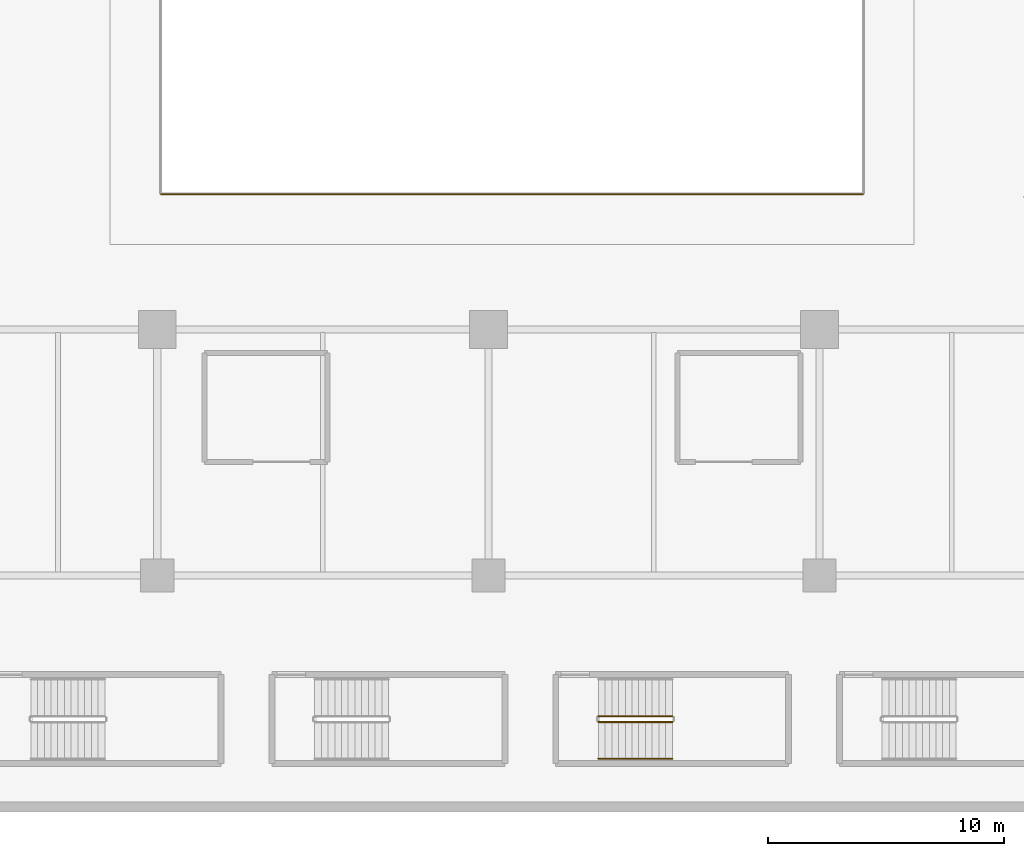
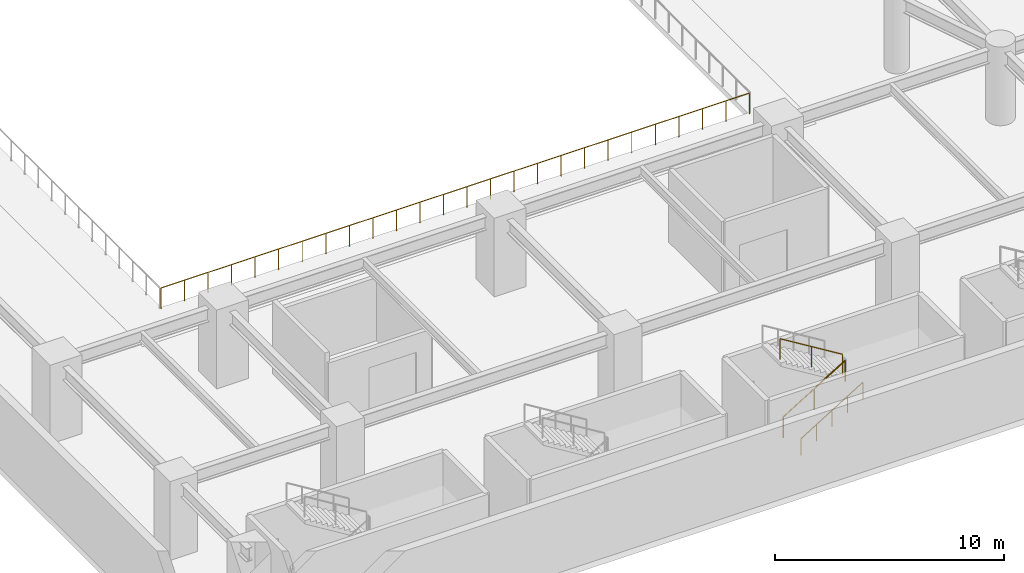
# One storey, part 16 of 22: 4 railings.
"""IFC4 building model written with IfcOpenShell, lengths in metres."""

from ifc_helpers import new_model, si_unit, direction, frame, origin, origin_2d, place, context, subcontext, project, spatial, circle, extrude, material, type_object, element, save


model = new_model("IFC4")

# Units and contexts
model_context = context("Model", 3, precision=1e-05, world=origin(), true_north=direction((0.0, 1.0)))
body_context = subcontext(model_context, "Body", "Model", "MODEL_VIEW")
ifc_project = project(units=[si_unit("LENGTHUNIT", "METRE"), si_unit("AREAUNIT", "SQUARE_METRE"), si_unit("VOLUMEUNIT", "CUBIC_METRE"), si_unit("PLANEANGLEUNIT", "RADIAN"), si_unit("MASSUNIT", "GRAM", prefix="KILO")], contexts=[model_context])

# Site, building, storey
site_placement = place(None, origin())
site = spatial("IfcSite", under=ifc_project, at=site_placement, CompositionType="ELEMENT")
building_placement = place(site_placement, origin())
building = spatial("IfcBuilding", under=site, at=building_placement, Name="Narakoshi Arena Tower", CompositionType="ELEMENT")
storey_placement = place(building_placement, frame((0.0, 0.0, 13.199951171875)))
storey = spatial("IfcBuildingStorey", under=building, at=storey_placement, Name="L03", CompositionType="ELEMENT", Elevation=13.199951171875)

# Railings
ifc_material_1 = material(Name="Clear low-iron laminated structural glass", Category="glass")
railing_type_1 = type_object("IfcRailingType", Name="RL-BAL-1100", PredefinedType="BALUSTRADE", material=ifc_material_1)
railing_1_placement = place(storey_placement, frame((30.64990234375, 3.800048828125, 0.175048828125)))
element("IfcRailing", 1, at=railing_1_placement, inside=storey, type_object=railing_type_1, Name="L03 AST3 stair guard 1", PredefinedType="BALUSTRADE", context=body_context, shape_type="SweptSolid", body=[
    extrude(circle(Radius=0.02392578125, at=origin_2d()), frame((0.0, 0.0, 1.09619140625), z_axis=(0.852166034122, 0.0, 0.523271488128), x_axis=(0.0, 1.0, 0.0)), (0.0, 0.0, 1.0), 3.678955078125),
    extrude(circle(Radius=0.02099609375, at=origin_2d()), origin(), (0.0, 0.0, 1.0), 1.072021484375),
    extrude(circle(Radius=0.02099609375, at=origin_2d()), frame((1.5673828125, 0.0, 0.96240234375)), (0.0, 0.0, 1.0), 1.072021484375),
    extrude(circle(Radius=0.02099609375, at=origin_2d()), frame((3.135009765625, 0.0, 1.925048828125)), (0.0, 0.0, 1.0), 1.072021484375),
])
railing_2_placement = place(storey_placement, frame((33.784912109375, 4.050048828125, 2.275146484375)))
element("IfcRailing", 2, at=railing_2_placement, inside=storey, type_object=railing_type_1, Name="L03 AST3 stair guard 3", PredefinedType="BALUSTRADE", context=body_context, shape_type="SweptSolid", body=[
    extrude(circle(Radius=0.02392578125, at=origin_2d()), frame((0.0, 0.0, 1.09619140625), z_axis=(-0.852195625947, 0.0, 0.523223293744), x_axis=(0.0, -1.0, 0.0)), (0.0, 0.0, 1.0), 3.6787109375),
    extrude(circle(Radius=0.02099609375, at=origin_2d()), origin(), (0.0, 0.0, 1.0), 1.072021484375),
    extrude(circle(Radius=0.02099609375, at=origin_2d()), frame((-1.5673828125, 0.0, 0.96240234375)), (0.0, 0.0, 1.0), 1.072021484375),
    extrude(circle(Radius=0.02099609375, at=origin_2d()), frame((-3.135009765625, 0.0, 1.9248046875)), (0.0, 0.0, 1.0), 1.072021484375),
])
railing_3_placement = place(storey_placement, frame((12.159912109375, 26.1201171875, 0.0)))
element("IfcRailing", 3, at=railing_3_placement, inside=storey, type_object=railing_type_1, Name="L03 Arena Bowl Tier Balustrade 1", PredefinedType="BALUSTRADE", context=body_context, shape_type="SweptSolid", body=[
    extrude(circle(Radius=0.02392578125, at=origin_2d()), frame((0.0, 0.0, 1.09619140625), z_axis=(1.0, 0.0, 0.0), x_axis=(0.0, 1.0, 0.0)), (0.0, 0.0, 1.0), 29.68017578125),
    extrude(circle(Radius=0.02099609375, at=origin_2d()), origin(), (0.0, 0.0, 1.0), 1.072021484375),
    extrude(circle(Radius=0.02099609375, at=origin_2d()), frame((1.187255859375, 0.0, 0.0)), (0.0, 0.0, 1.0), 1.072021484375),
    extrude(circle(Radius=0.02099609375, at=origin_2d()), frame((2.37451171875, 0.0, 0.0)), (0.0, 0.0, 1.0), 1.072021484375),
    extrude(circle(Radius=0.02099609375, at=origin_2d()), frame((3.5615234375, 0.0, 0.0)), (0.0, 0.0, 1.0), 1.072021484375),
    extrude(circle(Radius=0.02099609375, at=origin_2d()), frame((4.748779296875, 0.0, 0.0)), (0.0, 0.0, 1.0), 1.072021484375),
    extrude(circle(Radius=0.02099609375, at=origin_2d()), frame((5.93603515625, 0.0, 0.0)), (0.0, 0.0, 1.0), 1.072021484375),
    extrude(circle(Radius=0.02099609375, at=origin_2d()), frame((7.123291015625, 0.0, 0.0)), (0.0, 0.0, 1.0), 1.072021484375),
    extrude(circle(Radius=0.02099609375, at=origin_2d()), frame((8.310546875, 0.0, 0.0)), (0.0, 0.0, 1.0), 1.072021484375),
    extrude(circle(Radius=0.02099609375, at=origin_2d()), frame((9.49755859375, 0.0, 0.0)), (0.0, 0.0, 1.0), 1.072021484375),
    extrude(circle(Radius=0.02099609375, at=origin_2d()), frame((10.684814453125, 0.0, 0.0)), (0.0, 0.0, 1.0), 1.072021484375),
    extrude(circle(Radius=0.02099609375, at=origin_2d()), frame((11.8720703125, 0.0, 0.0)), (0.0, 0.0, 1.0), 1.072021484375),
    extrude(circle(Radius=0.02099609375, at=origin_2d()), frame((13.059326171875, 0.0, 0.0)), (0.0, 0.0, 1.0), 1.072021484375),
    extrude(circle(Radius=0.02099609375, at=origin_2d()), frame((14.24658203125, 0.0, 0.0)), (0.0, 0.0, 1.0), 1.072021484375),
    extrude(circle(Radius=0.02099609375, at=origin_2d()), frame((15.43359375, 0.0, 0.0)), (0.0, 0.0, 1.0), 1.072021484375),
    extrude(circle(Radius=0.02099609375, at=origin_2d()), frame((16.620849609375, 0.0, 0.0)), (0.0, 0.0, 1.0), 1.072021484375),
    extrude(circle(Radius=0.02099609375, at=origin_2d()), frame((17.80810546875, 0.0, 0.0)), (0.0, 0.0, 1.0), 1.072021484375),
    extrude(circle(Radius=0.02099609375, at=origin_2d()), frame((18.995361328125, 0.0, 0.0)), (0.0, 0.0, 1.0), 1.072021484375),
    extrude(circle(Radius=0.02099609375, at=origin_2d()), frame((20.1826171875, 0.0, 0.0)), (0.0, 0.0, 1.0), 1.072021484375),
    extrude(circle(Radius=0.02099609375, at=origin_2d()), frame((21.36962890625, 0.0, 0.0)), (0.0, 0.0, 1.0), 1.072021484375),
    extrude(circle(Radius=0.02099609375, at=origin_2d()), frame((22.556884765625, 0.0, 0.0)), (0.0, 0.0, 1.0), 1.072021484375),
    extrude(circle(Radius=0.02099609375, at=origin_2d()), frame((23.744140625, 0.0, 0.0)), (0.0, 0.0, 1.0), 1.072021484375),
    extrude(circle(Radius=0.02099609375, at=origin_2d()), frame((24.931396484375, 0.0, 0.0)), (0.0, 0.0, 1.0), 1.072021484375),
    extrude(circle(Radius=0.02099609375, at=origin_2d()), frame((26.11865234375, 0.0, 0.0)), (0.0, 0.0, 1.0), 1.072021484375),
    extrude(circle(Radius=0.02099609375, at=origin_2d()), frame((27.3056640625, 0.0, 0.0)), (0.0, 0.0, 1.0), 1.072021484375),
    extrude(circle(Radius=0.02099609375, at=origin_2d()), frame((28.492919921875, 0.0, 0.0)), (0.0, 0.0, 1.0), 1.072021484375),
    extrude(circle(Radius=0.02099609375, at=origin_2d()), frame((29.68017578125, 0.0, 0.0)), (0.0, 0.0, 1.0), 1.072021484375),
])
ifc_material_2 = material(Name="Brushed bronze stainless steel", Category="steel")
railing_type_2 = type_object("IfcRailingType", Name="RL-HND-900", PredefinedType="HANDRAIL", material=ifc_material_2)
railing_4_placement = place(storey_placement, frame((30.64990234375, 2.25, 0.175048828125)))
element("IfcRailing", 4, at=railing_4_placement, inside=storey, type_object=railing_type_2, Name="L03 AST3 stair handrail 1", PredefinedType="HANDRAIL", context=body_context, shape_type="SweptSolid", body=[
    extrude(circle(Radius=0.02392578125, at=origin_2d()), frame((0.0, 0.0, 0.8759765625), z_axis=(0.852166034122, 0.0, 0.523271488128), x_axis=(0.0, 1.0, 0.0)), (0.0, 0.0, 1.0), 3.678955078125),
    extrude(circle(Radius=0.02099609375, at=origin_2d()), origin(), (0.0, 0.0, 1.0), 0.851806640625),
    extrude(circle(Radius=0.02099609375, at=origin_2d()), frame((0.78369140625, 0.0, 0.481201171875)), (0.0, 0.0, 1.0), 0.851806640625),
    extrude(circle(Radius=0.02099609375, at=origin_2d()), frame((1.5673828125, 0.0, 0.96240234375)), (0.0, 0.0, 1.0), 0.851806640625),
    extrude(circle(Radius=0.02099609375, at=origin_2d()), frame((2.351318359375, 0.0, 1.44384765625)), (0.0, 0.0, 1.0), 0.851806640625),
    extrude(circle(Radius=0.02099609375, at=origin_2d()), frame((3.135009765625, 0.0, 1.925048828125)), (0.0, 0.0, 1.0), 0.851806640625),
])

save(model, "model.ifc")
